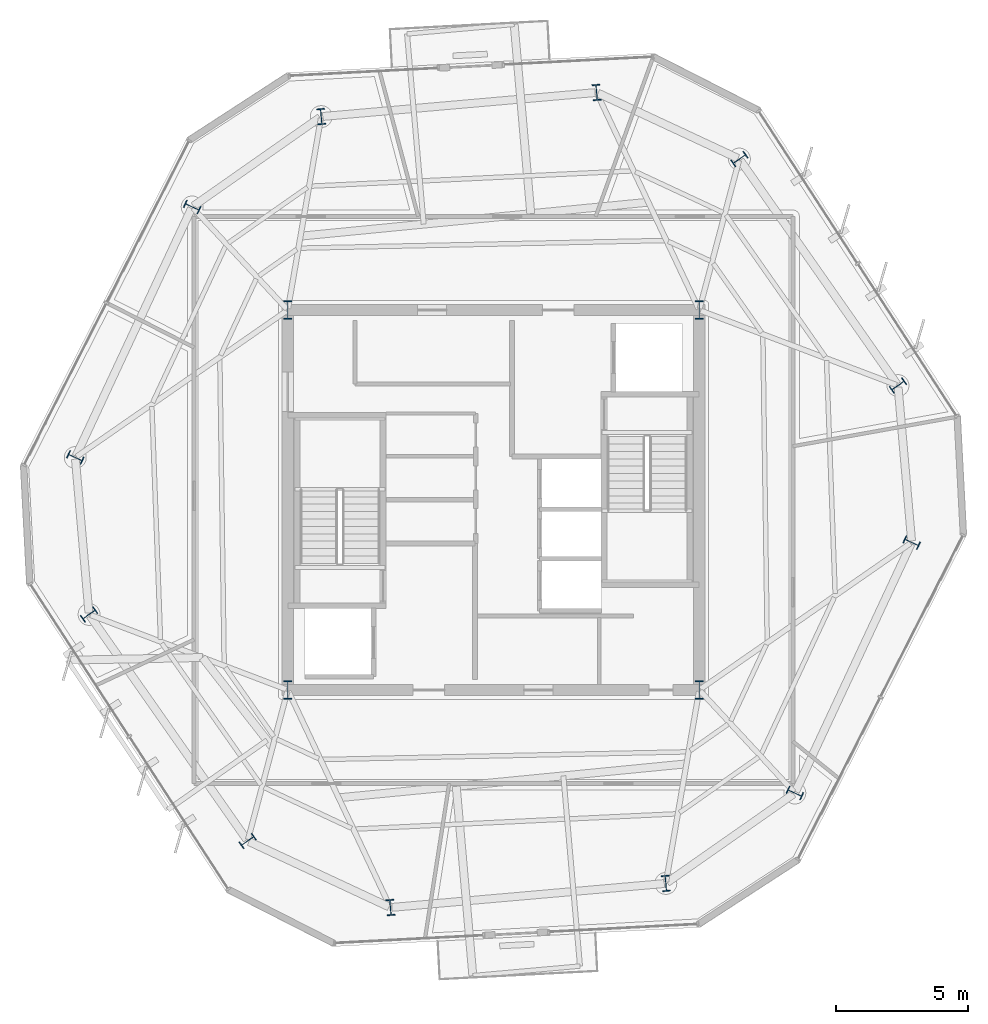
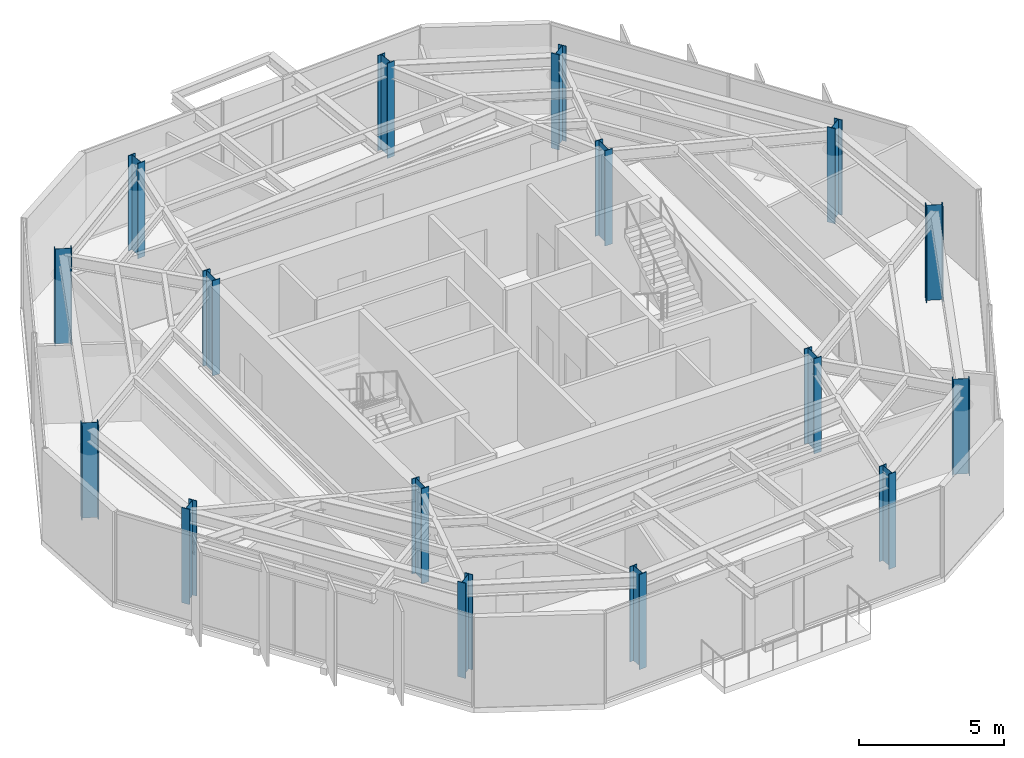
# One storey, part 1 of 11: 16 columns.
"""IFC4 building model written with IfcOpenShell, lengths in metres."""

import ifcopenshell
import ifcopenshell.guid

model = None  # the IFC model being written
_history = None  # IfcOwnerHistory: only IFC2X3 demands one
_inside = {}  # id of a spatial element -> (the spatial element, [elements in it])
_under = {}  # id of a project, library or spatial element -> (it, [spatial elements below it])
_declared = {}  # id of a project -> (the project, [libraries it declares])
_typed = {}  # id of a type object -> (the type object, [elements of that type])
_made_of = {}  # id of a material, layer set ... -> (it, [elements and type objects made of it])


def new_model(schema):
    """Start an empty IFC model of exactly this schema.

    Asked for "IFC4X3", IfcOpenShell would pick the latest addendum, in which some entities
    have other attributes; the version numbers below select the first issue.
    IFC2X3 requires an IfcOwnerHistory on every rooted entity: one is made here for all.
    """
    global model, _history
    if schema == "IFC4X3":
        model = ifcopenshell.file(schema_version=(4, 3, 0, 0))
    else:
        model = ifcopenshell.file(schema=schema)
    _inside.clear()
    _under.clear()
    _declared.clear()
    _typed.clear()
    _made_of.clear()
    _history = None
    if model.schema == "IFC2X3":
        org = make("IfcOrganization", Name="unknown")
        user = make(
            "IfcPersonAndOrganization",
            ThePerson=make("IfcPerson", FamilyName="unknown"),
            TheOrganization=org,
        )
        app = make(
            "IfcApplication",
            ApplicationDeveloper=org,
            Version="unknown",
            ApplicationFullName="unknown",
            ApplicationIdentifier="unknown",
        )
        _history = make(
            "IfcOwnerHistory",
            OwningUser=user,
            OwningApplication=app,
            ChangeAction="ADDED",
            CreationDate=0,
        )
    return model


def make(cls, **values):
    """One entity of the class cls with the attributes given. An attribute that is None is left unset."""
    return model.create_entity(
        cls, **{name: value for name, value in values.items() if value is not None}
    )


def rooted(cls, **values):
    """An entity with a GlobalId (a new one), such as an element, a storey or a relation."""
    return make(cls, GlobalId=ifcopenshell.guid.new(), OwnerHistory=_history, **values)


def si_unit(unit_type, name, prefix=None):
    """IfcSIUnit, for example si_unit("LENGTHUNIT", "METRE", prefix="MILLI")."""
    return make("IfcSIUnit", UnitType=unit_type, Prefix=prefix, Name=name)


def assignment(units):
    """IfcUnitAssignment: the units of a project."""
    return None if units is None else make("IfcUnitAssignment", Units=units)


def point(xyz):
    """IfcCartesianPoint."""
    return None if xyz is None else make("IfcCartesianPoint", Coordinates=xyz)


def direction(xyz):
    """IfcDirection."""
    return None if xyz is None else make("IfcDirection", DirectionRatios=xyz)


def frame(location, z_axis=None, x_axis=None):
    """IfcAxis2Placement3D, a coordinate frame: its origin and axes. An axis left out is left unset."""
    return make(
        "IfcAxis2Placement3D",
        Location=point(location),
        Axis=direction(z_axis),
        RefDirection=direction(x_axis),
    )


def frame_2d(location, x_axis=None):
    """IfcAxis2Placement2D, a coordinate frame in the plane: its origin and x axis."""
    return make(
        "IfcAxis2Placement2D", Location=point(location), RefDirection=direction(x_axis)
    )


def origin():
    """The frame at (0, 0, 0) with its axes left unset."""
    return frame((0.0, 0.0, 0.0))


def origin_2d():
    """The frame at (0, 0) in the plane with its x axis left unset."""
    return frame_2d((0.0, 0.0))


def place(relative_to, where):
    """IfcLocalPlacement: puts the frame where relative to a parent placement (None: the world)."""
    return make(
        "IfcLocalPlacement", PlacementRelTo=relative_to, RelativePlacement=where
    )


def context(
    kind, dimensions, precision=None, world=None, true_north=None, identifier=None
):
    """IfcGeometricRepresentationContext, for example the 3D "Model" context."""
    return make(
        "IfcGeometricRepresentationContext",
        ContextIdentifier=identifier,
        ContextType=kind,
        CoordinateSpaceDimension=dimensions,
        Precision=precision,
        WorldCoordinateSystem=world,
        TrueNorth=true_north,
    )


def subcontext(parent, identifier, kind, view, scale=None):
    """IfcGeometricRepresentationSubContext, for example "Body" below "Model"."""
    return make(
        "IfcGeometricRepresentationSubContext",
        ContextIdentifier=identifier,
        ContextType=kind,
        ParentContext=parent,
        TargetScale=scale,
        TargetView=view,
    )


def project(units=None, contexts=None):
    """IfcProject with its units and contexts."""
    return rooted(
        "IfcProject",
        Name="project",
        RepresentationContexts=contexts,
        UnitsInContext=assignment(units),
    )


def spatial(cls, under=None, at=None, **own):
    """A site, building, storey or space (cls), placed at a placement, below another one or the project."""
    s = rooted(cls, ObjectPlacement=at, **own)
    if under is not None:
        _under.setdefault(under.id(), (under, []))[1].append(s)
    return s


def profile(cls, at=None, kind="AREA", **sizes):
    """A parametric profile (cls). Its sizes go by their IFC names, for example OverallWidth=200.0."""
    return make(cls, ProfileType=kind, Position=at, **sizes)


def i_section(**sizes):
    """IfcIShapeProfileDef."""
    return profile("IfcIShapeProfileDef", **sizes)


def extrude(swept, where, along, depth):
    """IfcExtrudedAreaSolid: the profile swept, set in the frame where, extruded along a direction by depth."""
    return make(
        "IfcExtrudedAreaSolid",
        SweptArea=swept,
        Position=where,
        ExtrudedDirection=direction(along),
        Depth=depth,
    )


def shape(context_of_items, identifier, shape_type, items):
    """IfcShapeRepresentation: the items that make up one representation, for example the "Body"."""
    return make(
        "IfcShapeRepresentation",
        ContextOfItems=context_of_items,
        RepresentationIdentifier=identifier,
        RepresentationType=shape_type,
        Items=items,
    )


def material(Name=None, Category=None):
    """IfcMaterial."""
    return make("IfcMaterial", Name=Name, Category=Category)


def material_profile(
    of_material, cross_section, Name=None, Category=None, Priority=None
):
    """IfcMaterialProfile: a cross section and its material."""
    return make(
        "IfcMaterialProfile",
        Name=Name,
        Material=of_material,
        Profile=cross_section,
        Priority=Priority,
        Category=Category,
    )


def profile_set(profiles, Name=None, composite=None):
    """IfcMaterialProfileSet."""
    return make(
        "IfcMaterialProfileSet",
        Name=Name,
        MaterialProfiles=profiles,
        CompositeProfile=composite,
    )


def made_of(thing, what):
    """Note that an element or type object is made of a material, layer set ...; save() writes the relation."""
    if what is not None:
        _made_of.setdefault(what.id(), (what, []))[1].append(thing)
    return thing


def type_object(cls, material=None, **own):
    """A type object (cls), such as IfcWallType, which elements share."""
    return made_of(rooted(cls, **own), material)


def element(
    cls,
    number,
    at=None,
    inside=None,
    cuts=None,
    type_object=None,
    material=None,
    context=None,
    identifier="Body",
    shape_type=None,
    held_by="IfcProductDefinitionShape",
    body=None,
    shapes=None,
    **own,
):
    """One element of the class cls, such as IfcWall. Its Tag is "e" and its number.

    at: its placement. inside: the storey or other place that contains it. cuts: it is an
    opening in that element (IfcRelVoidsElement). A single representation is given by context,
    identifier, shape_type and body (its items); several are given by shapes. held_by: the class
    of the entity that holds the representations. save() writes the other relations.
    """
    e = rooted(cls, Tag="e%d" % number, ObjectPlacement=at, **own)
    if body is not None:
        shapes = [shape(context, identifier, shape_type, body)]
    if shapes is not None:
        e.Representation = make(held_by, Representations=shapes)
    if inside is not None:
        _inside.setdefault(inside.id(), (inside, []))[1].append(e)
    if cuts is not None:
        rooted(
            "IfcRelVoidsElement", RelatingBuildingElement=cuts, RelatedOpeningElement=e
        )
    if type_object is not None:
        _typed.setdefault(type_object.id(), (type_object, []))[1].append(e)
    return made_of(e, material)


def aggregate(whole, parts):
    """IfcRelAggregates: a whole, such as a stair, and the parts it consists of."""
    return rooted("IfcRelAggregates", RelatingObject=whole, RelatedObjects=parts)


def save(model, path):
    """Write the relations noted so far, then the file.

    IfcRelAggregates (storeys below a building ...), IfcRelContainedInSpatialStructure (elements
    in a storey), IfcRelDefinesByType, IfcRelAssociatesMaterial and IfcRelDeclares: one each for
    every whole, place, type object, material and project.
    """
    for whole, parts in _under.values():
        aggregate(whole, parts)
    for where, things in _inside.values():
        rooted(
            "IfcRelContainedInSpatialStructure",
            RelatedElements=things,
            RelatingStructure=where,
        )
    for kind, things in _typed.values():
        rooted("IfcRelDefinesByType", RelatedObjects=things, RelatingType=kind)
    for what, things in _made_of.values():
        rooted("IfcRelAssociatesMaterial", RelatedObjects=things, RelatingMaterial=what)
    for by, libraries in _declared.values():
        rooted("IfcRelDeclares", RelatingContext=by, RelatedDefinitions=libraries)
    model.write(path)


model = new_model("IFC4")

# Units and contexts
model_context = context("Model", 3, precision=1e-05, world=origin(), true_north=direction((0.0, 1.0)))
body_context = subcontext(model_context, "Body", "Model", "MODEL_VIEW")
ifc_project = project(units=[si_unit("LENGTHUNIT", "METRE"), si_unit("AREAUNIT", "SQUARE_METRE"), si_unit("VOLUMEUNIT", "CUBIC_METRE"), si_unit("PLANEANGLEUNIT", "RADIAN"), si_unit("MASSUNIT", "GRAM", prefix="KILO")], contexts=[model_context])

# Site, building, storey
site_placement = place(None, origin())
site = spatial("IfcSite", under=ifc_project, at=site_placement, CompositionType="ELEMENT")
building_placement = place(site_placement, origin())
building = spatial("IfcBuilding", under=site, at=building_placement, Name="Kranzbogen Civic Tower", CompositionType="ELEMENT")
storey_placement = place(building_placement, frame((0.0, 0.0, 278.199951171875)))
storey = spatial("IfcBuildingStorey", under=building, at=storey_placement, Name="L67", CompositionType="ELEMENT", Elevation=278.199951171875)

# Columns
ifc_material = material(Name="Steel S355", Category="steel")
ifc_material_profile_1 = material_profile(ifc_material, i_section(OverallWidth=0.300048828125, OverallDepth=0.60009765625, WebThickness=0.015380859375, FlangeThickness=0.030029296875, at=origin_2d()), Name="HEB 600")
ifc_profile_set_1 = profile_set([ifc_material_profile_1], Name="Steel S355")
column_type_1 = type_object("IfcColumnType", Name="Structural Column HEB 600", PredefinedType="COLUMN", material=ifc_profile_set_1)
for number, where, z_axis, x_axis, name in (
    (1, (28.908935546875, 40.449951171875, 0.0), (0.0, 0.0, 1.0), (0.996194698092, 0.087155742748, 0.0), "L67 tower perimeter tube column 01"),
    (2, (18.467041015625, 39.535888671875, 0.0), (0.0, 0.0, 1.0), (0.996194698092, 0.087155742748, 0.0), "L67 tower perimeter tube column 02"),
    (3, (13.574951171875, 36.110107421875, 0.0), (0.0, 0.0, 1.0), (0.422618261741, 0.906307787037, 0.0), "L67 tower perimeter tube column 03"),
    (4, (9.14501953125, 26.610107421875, 0.0), (0.0, 0.0, 1.0), (0.422618261741, 0.906307787037, 0.0), "L67 tower perimeter tube column 04"),
    (5, (9.666015625, 20.660888671875, 0.0), (0.0, 0.0, 1.0), (-0.573576436351, 0.819152044289, 0.0), "L67 tower perimeter tube column 05"),
    (6, (15.677978515625, 12.073974609375, 0.0), (0.0, 0.0, 1.0), (-0.573576436351, 0.819152044289, 0.0), "L67 tower perimeter tube column 06"),
    (7, (21.091064453125, 9.550048828125, 0.0), (0.0, 0.0, 1.0), (0.996194698092, 0.087155742748, 0.0), "L67 tower perimeter tube column 07"),
    (8, (31.532958984375, 10.464111328125, 0.0), (0.0, 0.0, 1.0), (0.996194698092, 0.087155742748, 0.0), "L67 tower perimeter tube column 08"),
    (9, (36.425048828125, 13.889892578125, 0.0), (0.0, 0.0, 1.0), (0.422618261741, 0.906307787037, 0.0), "L67 tower perimeter tube column 09"),
    (10, (40.85498046875, 23.389892578125, 0.0), (0.0, 0.0, 1.0), (0.422618261741, 0.906307787037, 0.0), "L67 tower perimeter tube column 10"),
    (11, (40.333984375, 29.339111328125, 0.0), (0.0, 0.0, 1.0), (-0.573576436351, 0.819152044289, 0.0), "L67 tower perimeter tube column 11"),
    (12, (34.322021484375, 37.926025390625, 0.0), (0.0, 0.0, 1.0), (-0.573576436351, 0.819152044289, 0.0), "L67 tower perimeter tube column 12"),
):
    element("IfcColumn", number, at=place(storey_placement, frame(where, z_axis=z_axis, x_axis=x_axis)), inside=storey, type_object=column_type_1, Name=name, PredefinedType="COLUMN", context=body_context, shape_type="SweptSolid", body=[
        extrude(i_section(OverallWidth=0.300048828125, OverallDepth=0.60009765625, WebThickness=0.015380859375, FlangeThickness=0.030029296875, at=origin_2d()), origin(), (0.0, 0.0, 1.0), 4.0),
    ])
ifc_material_profile_2 = material_profile(ifc_material, i_section(OverallWidth=0.300048828125, OverallDepth=0.699951171875, WebThickness=0.01708984375, FlangeThickness=0.031982421875, at=origin_2d()), Name="HEB 700")
ifc_profile_set_2 = profile_set([ifc_material_profile_2], Name="Steel S355")
column_type_2 = type_object("IfcColumnType", Name="Structural Column HEB 700", PredefinedType="COLUMN", material=ifc_profile_set_2)
for number, where, z_axis, x_axis, name in (
    (13, (17.199951171875, 17.800048828125, 0.0), (0.0, 0.0, 1.0), (1.0, 0.0, 0.0), "L67 composite core corner column 1"),
    (14, (32.800048828125, 17.800048828125, 0.0), (0.0, 0.0, 1.0), (1.0, 0.0, 0.0), "L67 composite core corner column 2"),
    (15, (32.800048828125, 32.199951171875, 0.0), (0.0, 0.0, 1.0), (1.0, 0.0, 0.0), "L67 composite core corner column 3"),
    (16, (17.199951171875, 32.199951171875, 0.0), (0.0, 0.0, 1.0), (1.0, 0.0, 0.0), "L67 composite core corner column 4"),
):
    element("IfcColumn", number, at=place(storey_placement, frame(where, z_axis=z_axis, x_axis=x_axis)), inside=storey, type_object=column_type_2, Name=name, PredefinedType="COLUMN", context=body_context, shape_type="SweptSolid", body=[
        extrude(i_section(OverallWidth=0.300048828125, OverallDepth=0.699951171875, WebThickness=0.01708984375, FlangeThickness=0.031982421875, at=origin_2d()), origin(), (0.0, 0.0, 1.0), 4.0),
    ])

save(model, "model.ifc")
